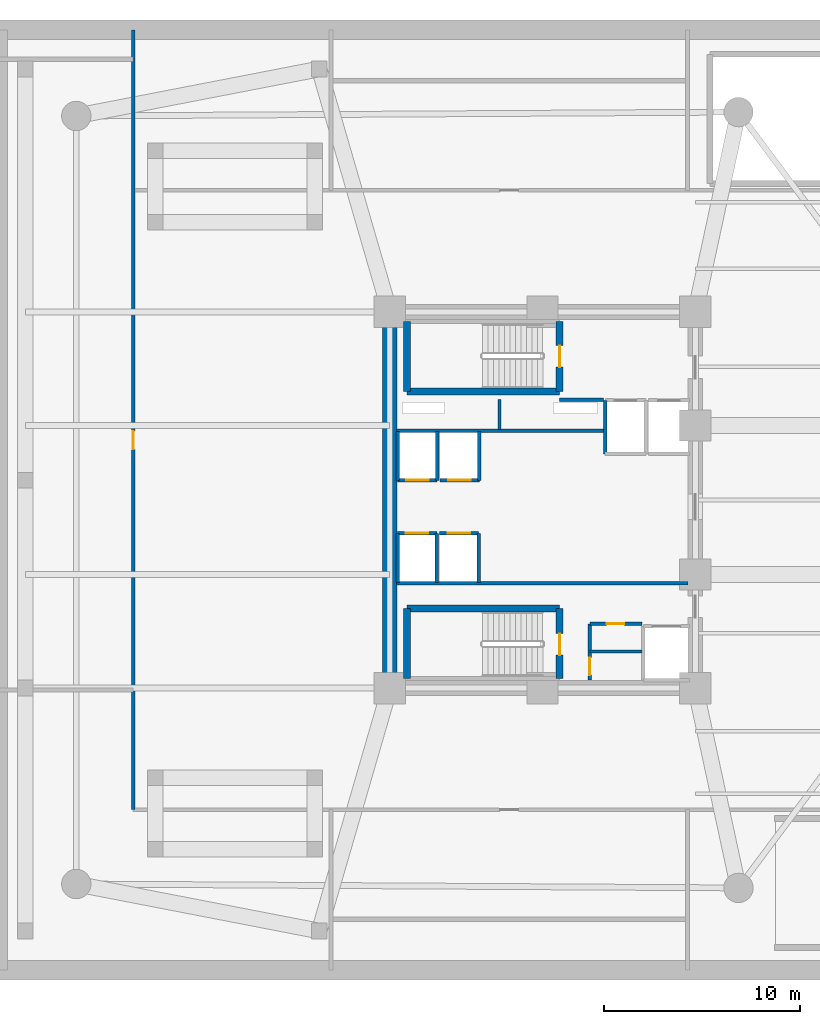
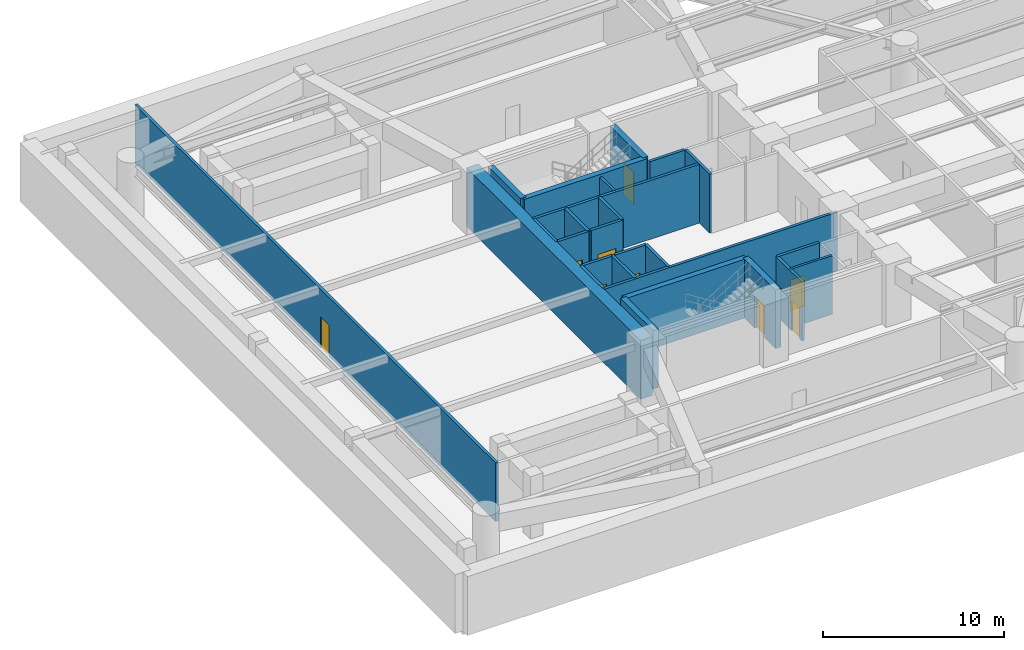
# One storey, part 3 of 7: 26 walls, 9 doors, 9 openings.
"""IFC4 building model written with IfcOpenShell, lengths in metres."""

from ifc_helpers import new_model, si_unit, direction, frame, frame_2d, origin, place, context, subcontext, project, spatial, rectangle, extrude, material, layer, layer_set, type_object, element, fill, save


model = new_model("IFC4")

# Units and contexts
model_context = context("Model", 3, precision=1e-05, world=origin(), true_north=direction((0.0, 1.0)))
body_context = subcontext(model_context, "Body", "Model", "MODEL_VIEW")
ifc_project = project(units=[si_unit("LENGTHUNIT", "METRE"), si_unit("AREAUNIT", "SQUARE_METRE"), si_unit("VOLUMEUNIT", "CUBIC_METRE"), si_unit("PLANEANGLEUNIT", "RADIAN"), si_unit("MASSUNIT", "GRAM", prefix="KILO")], contexts=[model_context])

# Site, building, storey
site_placement = place(None, origin())
site = spatial("IfcSite", under=ifc_project, at=site_placement, CompositionType="ELEMENT")
building_placement = place(site_placement, origin())
building = spatial("IfcBuilding", under=site, at=building_placement, Name="An Khanh Terracotta Commons", CompositionType="ELEMENT")
storey_placement = place(building_placement, frame((0.0, 0.0, -4.199951171875)))
storey = spatial("IfcBuildingStorey", under=building, at=storey_placement, Name="B01", CompositionType="ELEMENT", Elevation=-4.199951171875)

# Walls
ifc_material_1 = material(Name="Concrete C70/85", Category="concrete")
ifc_layer_1 = layer(ifc_material_1, 0.75, Name="Concrete C70/85")
ifc_layer_set_1 = layer_set([ifc_layer_1], Name="Concrete C70/85")
wall_type_1 = type_object("IfcWallType", Name="WALL-CORE-750", PredefinedType="SHEAR", material=ifc_layer_set_1)
wall_1_placement = place(storey_placement, frame((21.60009765625, 14.39990234375, 0.0), z_axis=(0.0, 0.0, 1.0), x_axis=(0.0, 1.0, 0.0)))
element("IfcWall", 1, at=wall_1_placement, inside=storey, type_object=wall_type_1, Name="B01 Core Wall CWALL-B01-W", PredefinedType="SHEAR", context=body_context, shape_type="SweptSolid", body=[
    extrude(rectangle(XDim=19.2001953125, YDim=0.75, at=frame_2d((9.60009765625, 0.0))), origin(), (0.0, 0.0, 1.0), 3.9599609375),
])
ifc_material_2 = material(Name="Fire-Rated Gypsum Board on Steel Stud", Category="steel")
ifc_layer_2 = layer(ifc_material_2, 0.179931640625, Name="Fire-Rated Gypsum Board on Steel Stud")
ifc_layer_set_2 = layer_set([ifc_layer_2], Name="Fire-Rated Gypsum Board on Steel Stud")
wall_type_2 = type_object("IfcWallType", Name="WALL-CORR-180", PredefinedType="PARTITIONING", material=ifc_layer_set_2)
wall_2_placement = place(storey_placement, frame((30.27001953125, 29.1201171875, 0.0), z_axis=(0.0, 0.0, 1.0), x_axis=(1.0, 0.0, 0.0)))
element("IfcWall", 2, at=wall_2_placement, inside=storey, type_object=wall_type_2, Name="B01 Core Wall FFLW-B01-S", PredefinedType="PARTITIONING", context=body_context, shape_type="SweptSolid", body=[
    extrude(rectangle(XDim=2.239990234375, YDim=0.179931640625, at=frame_2d((1.1201171875, 0.0))), origin(), (0.0, 0.0, 1.0), 3.9599609375),
])
wall_3_placement = place(storey_placement, frame((21.949951171875, 27.5400390625, 0.0), z_axis=(0.0, 0.0, 1.0), x_axis=(1.0, 0.0, 0.0)))
element("IfcWall", 3, at=wall_3_placement, inside=storey, type_object=wall_type_2, Name="B01 Core Wall RSRW-B01-S", PredefinedType="PARTITIONING", context=body_context, shape_type="SweptSolid", body=[
    extrude(rectangle(XDim=10.56005859375, YDim=0.179931640625, at=frame_2d((5.280029296875, 0.0))), origin(), (0.0, 0.0, 1.0), 3.9599609375),
])
wall_4_placement = place(storey_placement, frame((21.949951171875, 19.760009765625, 0.0), z_axis=(0.0, 0.0, 1.0), x_axis=(1.0, 0.0, 0.0)))
element("IfcWall", 4, at=wall_4_placement, inside=storey, type_object=wall_type_2, Name="B01 Core Wall SVW-B01-N", PredefinedType="PARTITIONING", context=body_context, shape_type="SweptSolid", body=[
    extrude(rectangle(XDim=14.8701171875, YDim=0.179931640625, at=frame_2d((7.43505859375, 0.0))), origin(), (0.0, 0.0, 1.0), 3.9599609375),
])

# Wall, opening, door
wall_5_placement = place(storey_placement, frame((31.820068359375, 17.679931640625, 0.0), z_axis=(0.0, 0.0, 1.0), x_axis=(1.0, 0.0, 0.0)))
wall_5 = element("IfcWall", 5, at=wall_5_placement, inside=storey, type_object=wall_type_2, Name="B01 Core Wall SSVCW-B01-N", PredefinedType="PARTITIONING", context=body_context, shape_type="SweptSolid", body=[
    extrude(rectangle(XDim=2.659912109375, YDim=0.179931640625, at=frame_2d((1.330078125, 0.0))), origin(), (0.0, 0.0, 1.0), 3.9599609375),
])
opening_1_placement = place(wall_5_placement, frame((0.85009765625, 0.0, 0.0)))
opening_1 = element("IfcOpeningElement", 6, at=opening_1_placement, cuts=wall_5, Name="Opening D-SV", PredefinedType="OPENING", context=body_context, shape_type="SweptSolid", body=[
    extrude(rectangle(XDim=0.89990234375, YDim=2.050048828125, at=frame_2d((0.449951171875, 1.02490234375))), frame((0.0, 0.099853515625, 0.0), z_axis=(0.0, -1.0, 0.0), x_axis=(1.0, 0.0, 0.0)), (0.0, 0.0, 1.0), 0.199951171875),
])
ifc_material_3 = material(Name="Fire-Rated Powder-Coated Steel Door", Category="steel")
door_type_1 = type_object("IfcDoorType", Name="DOOR-SERV-900", OperationType="NOTDEFINED", PredefinedType="DOOR", material=ifc_material_3)
door_1_placement = place(opening_1_placement, origin())
door_1 = element("IfcDoor", 7, at=door_1_placement, inside=storey, type_object=door_type_1, Name="B01 Core Cleaner Store Door", OperationType="SINGLE_SWING_RIGHT", OverallHeight=2.050048828125, OverallWidth=0.89990234375, PredefinedType="DOOR", context=body_context, shape_type="SweptSolid", body=[
    extrude(rectangle(XDim=0.89990234375, YDim=2.050048828125, at=frame_2d((0.449951171875, 1.02490234375))), frame((0.0, 0.02490234375, 0.0), z_axis=(0.0, -1.0, 0.0), x_axis=(1.0, 0.0, 0.0)), (0.0, 0.0, 1.0), 0.050048828125),
])
fill(opening_1, door_1)

wall_6_placement = place(storey_placement, frame((31.820068359375, 14.800048828125, 0.0), z_axis=(0.0, 0.0, 1.0), x_axis=(0.0, 1.0, 0.0)))
wall_6 = element("IfcWall", 8, at=wall_6_placement, inside=storey, type_object=wall_type_2, Name="B01 Core Wall SSVCW-B01-W", PredefinedType="PARTITIONING", context=body_context, shape_type="SweptSolid", body=[
    extrude(rectangle(XDim=2.8798828125, YDim=0.179931640625, at=frame_2d((1.43994140625, 0.0))), origin(), (0.0, 0.0, 1.0), 3.9599609375),
])
opening_2_placement = place(wall_6_placement, frame((0.260009765625, 0.0, 0.0)))
opening_2 = element("IfcOpeningElement", 9, at=opening_2_placement, cuts=wall_6, Name="Opening D-SV", PredefinedType="OPENING", context=body_context, shape_type="SweptSolid", body=[
    extrude(rectangle(XDim=0.89990234375, YDim=2.050048828125, at=frame_2d((0.449951171875, 1.02490234375))), frame((0.0, 0.099853515625, 0.0), z_axis=(0.0, -1.0, 0.0), x_axis=(1.0, 0.0, 0.0)), (0.0, 0.0, 1.0), 0.199951171875),
])
door_2_placement = place(opening_2_placement, origin())
door_2 = element("IfcDoor", 10, at=door_2_placement, inside=storey, type_object=door_type_1, Name="B01 Telecoms BMS Cupboard Door", OperationType="SINGLE_SWING_LEFT", OverallHeight=2.050048828125, OverallWidth=0.89990234375, PredefinedType="DOOR", context=body_context, shape_type="SweptSolid", body=[
    extrude(rectangle(XDim=0.89990234375, YDim=2.050048828125, at=frame_2d((0.449951171875, 1.02490234375))), frame((0.0, 0.02490234375, 0.0), z_axis=(0.0, -1.0, 0.0), x_axis=(1.0, 0.0, 0.0)), (0.0, 0.0, 1.0), 0.050048828125),
])
fill(opening_2, door_2)

# Wall
wall_7_placement = place(storey_placement, frame((32.60009765625, 29.080078125, 0.0), z_axis=(0.0, 0.0, 1.0), x_axis=(0.0, -1.0, 0.0)))
element("IfcWall", 11, at=wall_7_placement, inside=storey, type_object=wall_type_2, Name="B01 Core Wall LSH-B01-FFL-01-W", PredefinedType="PARTITIONING", context=body_context, shape_type="SweptSolid", body=[
    extrude(rectangle(XDim=2.72998046875, YDim=0.179931640625, at=frame_2d((1.364990234375, 0.0))), origin(), (0.0, 0.0, 1.0), 3.9599609375),
])

# Wall, opening, door
wall_8_placement = place(storey_placement, frame((24.02001953125, 25.0, 0.0), z_axis=(0.0, 0.0, 1.0), x_axis=(-1.0, 0.0, 0.0)))
wall_8 = element("IfcWall", 12, at=wall_8_placement, inside=storey, type_object=wall_type_2, Name="B01 Core Wall LSH-B01-PL-L1-S", PredefinedType="PARTITIONING", context=body_context, shape_type="SweptSolid", body=[
    extrude(rectangle(XDim=2.02001953125, YDim=0.179931640625, at=frame_2d((1.010009765625, 0.0))), origin(), (0.0, 0.0, 1.0), 3.9599609375),
])
opening_3_placement = place(wall_8_placement, frame((0.43505859375, 0.0, 0.0)))
opening_3 = element("IfcOpeningElement", 13, at=opening_3_placement, cuts=wall_8, Name="Opening LD-PL-L1-B01", PredefinedType="OPENING", context=body_context, shape_type="SweptSolid", body=[
    extrude(rectangle(XDim=1.14990234375, YDim=2.199951171875, at=frame_2d((0.574951171875, 1.10009765625))), frame((0.0, 0.099853515625, 0.0), z_axis=(0.0, -1.0, 0.0), x_axis=(1.0, 0.0, 0.0)), (0.0, 0.0, 1.0), 0.199951171875),
])
ifc_material_4 = material(Name="Brushed Stainless Steel Passenger Landing Door", Category="steel")
door_type_2 = type_object("IfcDoorType", Name="DOOR-LD-PAX-1150", OperationType="NOTDEFINED", PredefinedType="DOOR", material=ifc_material_4)
door_3_placement = place(opening_3_placement, origin())
door_3 = element("IfcDoor", 14, at=door_3_placement, inside=storey, type_object=door_type_2, Name="B01 Lift PL-L1 Sliding Landing Door", OperationType="DOUBLE_DOOR_SLIDING", OverallHeight=2.199951171875, OverallWidth=1.14990234375, PredefinedType="DOOR", context=body_context, shape_type="SweptSolid", body=[
    extrude(rectangle(XDim=1.14990234375, YDim=2.199951171875, at=frame_2d((0.574951171875, 1.10009765625))), frame((0.0, 0.02490234375, 0.0), z_axis=(0.0, -1.0, 0.0), x_axis=(1.0, 0.0, 0.0)), (0.0, 0.0, 1.0), 0.050048828125),
])
fill(opening_3, door_3)

# Walls
for number, where, z_axis, x_axis, name in (
    (15, (24.02001953125, 25.0, 0.0), (0.0, 0.0, 1.0), (0.0, 1.0, 0.0), "B01 Core Wall LSH-B01-PL-L1-E"),
    (16, (22.0, 27.5, 0.0), (0.0, 0.0, 1.0), (0.0, -1.0, 0.0), "B01 Core Wall LSH-B01-PL-L1-W"),
):
    element("IfcWall", number, at=place(storey_placement, frame(where, z_axis=z_axis, x_axis=x_axis)), inside=storey, type_object=wall_type_2, Name=name, PredefinedType="PARTITIONING", context=body_context, shape_type="SweptSolid", body=[
        extrude(rectangle(XDim=2.5, YDim=0.179931640625, at=frame_2d((1.25, 0.0))), origin(), (0.0, 0.0, 1.0), 3.9599609375),
    ])

# Wall, opening, door
wall_9_placement = place(storey_placement, frame((26.179931640625, 25.0, 0.0), z_axis=(0.0, 0.0, 1.0), x_axis=(-1.0, 0.0, 0.0)))
wall_9 = element("IfcWall", 17, at=wall_9_placement, inside=storey, type_object=wall_type_2, Name="B01 Core Wall LSH-B01-PL-L2-S", PredefinedType="PARTITIONING", context=body_context, shape_type="SweptSolid", body=[
    extrude(rectangle(XDim=2.02001953125, YDim=0.179931640625, at=frame_2d((1.010009765625, 0.0))), origin(), (0.0, 0.0, 1.0), 3.9599609375),
])
opening_4_placement = place(wall_9_placement, frame((0.43505859375, 0.0, 0.0)))
opening_4 = element("IfcOpeningElement", 18, at=opening_4_placement, cuts=wall_9, Name="Opening LD-PL-L2-B01", PredefinedType="OPENING", context=body_context, shape_type="SweptSolid", body=[
    extrude(rectangle(XDim=1.14990234375, YDim=2.199951171875, at=frame_2d((0.574951171875, 1.10009765625))), frame((0.0, 0.099853515625, 0.0), z_axis=(0.0, -1.0, 0.0), x_axis=(1.0, 0.0, 0.0)), (0.0, 0.0, 1.0), 0.199951171875),
])
door_4_placement = place(opening_4_placement, origin())
door_4 = element("IfcDoor", 19, at=door_4_placement, inside=storey, type_object=door_type_2, Name="B01 Lift PL-L2 Sliding Landing Door", OperationType="DOUBLE_DOOR_SLIDING", OverallHeight=2.199951171875, OverallWidth=1.14990234375, PredefinedType="DOOR", context=body_context, shape_type="SweptSolid", body=[
    extrude(rectangle(XDim=1.14990234375, YDim=2.199951171875, at=frame_2d((0.574951171875, 1.10009765625))), frame((0.0, 0.02490234375, 0.0), z_axis=(0.0, -1.0, 0.0), x_axis=(1.0, 0.0, 0.0)), (0.0, 0.0, 1.0), 0.050048828125),
])
fill(opening_4, door_4)

# Wall
wall_10_placement = place(storey_placement, frame((26.179931640625, 25.0, 0.0), z_axis=(0.0, 0.0, 1.0), x_axis=(0.0, 1.0, 0.0)))
element("IfcWall", 20, at=wall_10_placement, inside=storey, type_object=wall_type_2, Name="B01 Core Wall LSH-B01-PL-L2-E", PredefinedType="PARTITIONING", context=body_context, shape_type="SweptSolid", body=[
    extrude(rectangle(XDim=2.5, YDim=0.179931640625, at=frame_2d((1.25, 0.0))), origin(), (0.0, 0.0, 1.0), 3.9599609375),
])

# Wall, opening, door
wall_11_placement = place(storey_placement, frame((22.0, 22.300048828125, 0.0), z_axis=(0.0, 0.0, 1.0), x_axis=(1.0, 0.0, 0.0)))
wall_11 = element("IfcWall", 21, at=wall_11_placement, inside=storey, type_object=wall_type_2, Name="B01 Core Wall LSH-B01-PL-L3-N", PredefinedType="PARTITIONING", context=body_context, shape_type="SweptSolid", body=[
    extrude(rectangle(XDim=2.0, YDim=0.179931640625, at=frame_2d((1.0, 0.0))), origin(), (0.0, 0.0, 1.0), 3.9599609375),
])
opening_5_placement = place(wall_11_placement, frame((0.425048828125, 0.0, 0.0)))
opening_5 = element("IfcOpeningElement", 22, at=opening_5_placement, cuts=wall_11, Name="Opening LD-PL-L3-B01", PredefinedType="OPENING", context=body_context, shape_type="SweptSolid", body=[
    extrude(rectangle(XDim=1.14990234375, YDim=2.199951171875, at=frame_2d((0.574951171875, 1.10009765625))), frame((0.0, 0.099853515625, 0.0), z_axis=(0.0, -1.0, 0.0), x_axis=(1.0, 0.0, 0.0)), (0.0, 0.0, 1.0), 0.199951171875),
])
door_5_placement = place(opening_5_placement, origin())
door_5 = element("IfcDoor", 23, at=door_5_placement, inside=storey, type_object=door_type_2, Name="B01 Lift PL-L3 Sliding Landing Door", OperationType="DOUBLE_DOOR_SLIDING", OverallHeight=2.199951171875, OverallWidth=1.14990234375, PredefinedType="DOOR", context=body_context, shape_type="SweptSolid", body=[
    extrude(rectangle(XDim=1.14990234375, YDim=2.199951171875, at=frame_2d((0.574951171875, 1.10009765625))), frame((0.0, 0.02490234375, 0.0), z_axis=(0.0, -1.0, 0.0), x_axis=(1.0, 0.0, 0.0)), (0.0, 0.0, 1.0), 0.050048828125),
])
fill(opening_5, door_5)

# Walls
for number, where, z_axis, x_axis, name in (
    (24, (24.0, 19.800048828125, 0.0), (0.0, 0.0, 1.0), (0.0, 1.0, 0.0), "B01 Core Wall LSH-B01-PL-L3-E"),
    (25, (22.0, 22.300048828125, 0.0), (0.0, 0.0, 1.0), (0.0, -1.0, 0.0), "B01 Core Wall LSH-B01-PL-L3-W"),
):
    element("IfcWall", number, at=place(storey_placement, frame(where, z_axis=z_axis, x_axis=x_axis)), inside=storey, type_object=wall_type_2, Name=name, PredefinedType="PARTITIONING", context=body_context, shape_type="SweptSolid", body=[
        extrude(rectangle(XDim=2.5, YDim=0.179931640625, at=frame_2d((1.25, 0.0))), origin(), (0.0, 0.0, 1.0), 3.9599609375),
    ])

# Wall, opening, door
wall_12_placement = place(storey_placement, frame((24.139892578125, 22.300048828125, 0.0), z_axis=(0.0, 0.0, 1.0), x_axis=(1.0, 0.0, 0.0)))
wall_12 = element("IfcWall", 26, at=wall_12_placement, inside=storey, type_object=wall_type_2, Name="B01 Core Wall LSH-B01-PL-L4-N", PredefinedType="PARTITIONING", context=body_context, shape_type="SweptSolid", body=[
    extrude(rectangle(XDim=2.0, YDim=0.179931640625, at=frame_2d((1.0, 0.0))), origin(), (0.0, 0.0, 1.0), 3.9599609375),
])
opening_6_placement = place(wall_12_placement, frame((0.425048828125, 0.0, 0.0)))
opening_6 = element("IfcOpeningElement", 27, at=opening_6_placement, cuts=wall_12, Name="Opening LD-PL-L4-B01", PredefinedType="OPENING", context=body_context, shape_type="SweptSolid", body=[
    extrude(rectangle(XDim=1.14990234375, YDim=2.199951171875, at=frame_2d((0.574951171875, 1.10009765625))), frame((0.0, 0.099853515625, 0.0), z_axis=(0.0, -1.0, 0.0), x_axis=(1.0, 0.0, 0.0)), (0.0, 0.0, 1.0), 0.199951171875),
])
door_6_placement = place(opening_6_placement, origin())
door_6 = element("IfcDoor", 28, at=door_6_placement, inside=storey, type_object=door_type_2, Name="B01 Lift PL-L4 Sliding Landing Door", OperationType="DOUBLE_DOOR_SLIDING", OverallHeight=2.199951171875, OverallWidth=1.14990234375, PredefinedType="DOOR", context=body_context, shape_type="SweptSolid", body=[
    extrude(rectangle(XDim=1.14990234375, YDim=2.199951171875, at=frame_2d((0.574951171875, 1.10009765625))), frame((0.0, 0.02490234375, 0.0), z_axis=(0.0, -1.0, 0.0), x_axis=(1.0, 0.0, 0.0)), (0.0, 0.0, 1.0), 0.050048828125),
])
fill(opening_6, door_6)

# Wall
wall_13_placement = place(storey_placement, frame((26.139892578125, 19.800048828125, 0.0), z_axis=(0.0, 0.0, 1.0), x_axis=(0.0, 1.0, 0.0)))
element("IfcWall", 29, at=wall_13_placement, inside=storey, type_object=wall_type_2, Name="B01 Core Wall LSH-B01-PL-L4-E", PredefinedType="PARTITIONING", context=body_context, shape_type="SweptSolid", body=[
    extrude(rectangle(XDim=2.5, YDim=0.179931640625, at=frame_2d((1.25, 0.0))), origin(), (0.0, 0.0, 1.0), 3.9599609375),
])

# Wall, opening, door
wall_14_placement = place(storey_placement, frame((8.5, 8.199951171875, 0.0), z_axis=(0.0, 0.0, 1.0), x_axis=(0.0, 1.0, 0.0)))
wall_14 = element("IfcWall", 30, at=wall_14_placement, inside=storey, type_object=wall_type_2, Name="B01 Interior Partition IW-B01-E014", PredefinedType="PARTITIONING", context=body_context, shape_type="SweptSolid", body=[
    extrude(rectangle(XDim=39.800048828125, YDim=0.179931640625, at=frame_2d((19.89990234375, 0.0))), origin(), (0.0, 0.0, 1.0), 3.9599609375),
])
opening_7_placement = place(wall_14_placement, frame((18.389892578125, 0.0, 0.0)))
opening_7 = element("IfcOpeningElement", 31, at=opening_7_placement, cuts=wall_14, Name="Opening D-RM", PredefinedType="OPENING", context=body_context, shape_type="SweptSolid", body=[
    extrude(rectangle(XDim=0.919921875, YDim=2.10009765625, at=frame_2d((0.4599609375, 1.050048828125))), frame((0.0, 0.099853515625, 0.0), z_axis=(0.0, -1.0, 0.0), x_axis=(1.0, 0.0, 0.0)), (0.0, 0.0, 1.0), 0.199951171875),
])
ifc_material_5 = material(Name="Engineered Hardwood Timber Leaf", Category="wood")
door_type_3 = type_object("IfcDoorType", Name="DOOR-INT-920", OperationType="NOTDEFINED", PredefinedType="DOOR", material=ifc_material_5)
door_7_placement = place(opening_7_placement, origin())
door_7 = element("IfcDoor", 32, at=door_7_placement, inside=storey, type_object=door_type_3, Name="B01 CYC Bicycle and Electric Two-Wheeler Storage Door", OperationType="SINGLE_SWING_RIGHT", OverallHeight=2.10009765625, OverallWidth=0.919921875, PredefinedType="DOOR", context=body_context, shape_type="SweptSolid", body=[
    extrude(rectangle(XDim=0.919921875, YDim=2.10009765625, at=frame_2d((0.4599609375, 1.050048828125))), frame((0.0, 0.02490234375, 0.0), z_axis=(0.0, -1.0, 0.0), x_axis=(1.0, 0.0, 0.0)), (0.0, 0.0, 1.0), 0.050048828125),
])
fill(opening_7, door_7)

# Walls
ifc_material_6 = material(Name="Acoustic Gypsum Board Partition")
ifc_layer_3 = layer(ifc_material_6, 0.14990234375, Name="Acoustic Gypsum Board Partition")
ifc_layer_set_3 = layer_set([ifc_layer_3], Name="Acoustic Gypsum Board Partition")
wall_type_3 = type_object("IfcWallType", Name="WALL-PART-150", PredefinedType="PARTITIONING", material=ifc_layer_set_3)
wall_15_placement = place(storey_placement, frame((27.199951171875, 27.60009765625, 0.0), z_axis=(0.0, 0.0, 1.0), x_axis=(0.0, 1.0, 0.0)))
element("IfcWall", 33, at=wall_15_placement, inside=storey, type_object=wall_type_3, Name="B01 Core Wall RSRW-B01-D1", PredefinedType="PARTITIONING", context=body_context, shape_type="SweptSolid", body=[
    extrude(rectangle(XDim=1.52001953125, YDim=0.14990234375, at=frame_2d((0.760009765625, 0.0))), origin(), (0.0, 0.0, 1.0), 3.9599609375),
])
wall_16_placement = place(storey_placement, frame((31.820068359375, 16.260009765625, 0.0), z_axis=(0.0, 0.0, 1.0), x_axis=(1.0, 0.0, 0.0)))
element("IfcWall", 34, at=wall_16_placement, inside=storey, type_object=wall_type_3, Name="B01 Core Wall SSVCW-B01-M", PredefinedType="PARTITIONING", context=body_context, shape_type="SweptSolid", body=[
    extrude(rectangle(XDim=2.659912109375, YDim=0.14990234375, at=frame_2d((1.330078125, 0.0))), origin(), (0.0, 0.0, 1.0), 3.9599609375),
])
ifc_material_7 = material(Name="Concrete C50/60", Category="concrete")
ifc_layer_4 = layer(ifc_material_7, 0.35009765625, Name="Concrete C50/60")
ifc_layer_set_4 = layer_set([ifc_layer_4], Name="Concrete C50/60")
wall_type_4 = type_object("IfcWallType", Name="WALL-SHAFT-350", PredefinedType="SOLIDWALL", material=ifc_layer_set_4)
wall_17_placement = place(storey_placement, frame((22.47998046875, 29.530029296875, 0.0), z_axis=(0.0, 0.0, 1.0), x_axis=(1.0, 0.0, 0.0)))
element("IfcWall", 35, at=wall_17_placement, inside=storey, type_object=wall_type_4, Name="B01 Core Wall STW-B01-N-S", PredefinedType="SOLIDWALL", context=body_context, shape_type="SweptSolid", body=[
    extrude(rectangle(XDim=7.7900390625, YDim=0.35009765625, at=frame_2d((3.89501953125, 0.0))), origin(), (0.0, 0.0, 1.0), 3.9599609375),
])
wall_18_placement = place(storey_placement, frame((22.47998046875, 29.530029296875, 0.0), z_axis=(0.0, 0.0, 1.0), x_axis=(0.0, 1.0, 0.0)))
element("IfcWall", 36, at=wall_18_placement, inside=storey, type_object=wall_type_4, Name="B01 Core Wall STW-B01-N-W", PredefinedType="SOLIDWALL", context=body_context, shape_type="SweptSolid", body=[
    extrude(rectangle(XDim=3.580078125, YDim=0.35009765625, at=frame_2d((1.7900390625, 0.0))), origin(), (0.0, 0.0, 1.0), 3.9599609375),
])

# Wall, opening, door
wall_19_placement = place(storey_placement, frame((30.27001953125, 29.530029296875, 0.0), z_axis=(0.0, 0.0, 1.0), x_axis=(0.0, 1.0, 0.0)))
wall_19 = element("IfcWall", 37, at=wall_19_placement, inside=storey, type_object=wall_type_4, Name="B01 Core Wall STW-B01-N-E", PredefinedType="SOLIDWALL", context=body_context, shape_type="SweptSolid", body=[
    extrude(rectangle(XDim=3.580078125, YDim=0.35009765625, at=frame_2d((1.7900390625, 0.0))), origin(), (0.0, 0.0, 1.0), 3.9599609375),
])
opening_8_placement = place(wall_19_placement, frame((1.25, 0.0, 0.0)))
opening_8 = element("IfcOpeningElement", 38, at=opening_8_placement, cuts=wall_19, Name="Opening D-ST", PredefinedType="OPENING", context=body_context, shape_type="SweptSolid", body=[
    extrude(rectangle(XDim=1.10009765625, YDim=2.14990234375, at=frame_2d((0.550048828125, 1.074951171875))), frame((0.0, 0.18505859375, 0.0), z_axis=(0.0, -1.0, 0.0), x_axis=(1.0, 0.0, 0.0)), (0.0, 0.0, 1.0), 0.3701171875),
])
ifc_material_8 = material(Name="Fire-Rated Steel Leaf and Frame", Category="steel")
door_type_4 = type_object("IfcDoorType", Name="DOOR-STAIR-1100", OperationType="NOTDEFINED", PredefinedType="DOOR", material=ifc_material_8)
door_8_placement = place(opening_8_placement, origin())
door_8 = element("IfcDoor", 39, at=door_8_placement, inside=storey, type_object=door_type_4, Name="B01 Stair ST-01 Fire Door", OperationType="SINGLE_SWING_RIGHT", OverallHeight=2.14990234375, OverallWidth=1.10009765625, PredefinedType="DOOR", context=body_context, shape_type="SweptSolid", body=[
    extrude(rectangle(XDim=1.10009765625, YDim=2.14990234375, at=frame_2d((0.550048828125, 1.074951171875))), frame((0.0, 0.02490234375, 0.0), z_axis=(0.0, -1.0, 0.0), x_axis=(1.0, 0.0, 0.0)), (0.0, 0.0, 1.0), 0.050048828125),
])
fill(opening_8, door_8)

# Walls
wall_20_placement = place(storey_placement, frame((22.47998046875, 18.469970703125, 0.0), z_axis=(0.0, 0.0, 1.0), x_axis=(1.0, 0.0, 0.0)))
element("IfcWall", 40, at=wall_20_placement, inside=storey, type_object=wall_type_4, Name="B01 Core Wall STW-B01-S-N", PredefinedType="SOLIDWALL", context=body_context, shape_type="SweptSolid", body=[
    extrude(rectangle(XDim=7.7900390625, YDim=0.35009765625, at=frame_2d((3.89501953125, 0.0))), origin(), (0.0, 0.0, 1.0), 3.9599609375),
])
wall_21_placement = place(storey_placement, frame((22.47998046875, 14.889892578125, 0.0), z_axis=(0.0, 0.0, 1.0), x_axis=(0.0, 1.0, 0.0)))
element("IfcWall", 41, at=wall_21_placement, inside=storey, type_object=wall_type_4, Name="B01 Core Wall STW-B01-S-W", PredefinedType="SOLIDWALL", context=body_context, shape_type="SweptSolid", body=[
    extrude(rectangle(XDim=3.580078125, YDim=0.35009765625, at=frame_2d((1.7900390625, 0.0))), origin(), (0.0, 0.0, 1.0), 3.9599609375),
])

# Wall, opening, door
wall_22_placement = place(storey_placement, frame((30.27001953125, 14.889892578125, 0.0), z_axis=(0.0, 0.0, 1.0), x_axis=(0.0, 1.0, 0.0)))
wall_22 = element("IfcWall", 42, at=wall_22_placement, inside=storey, type_object=wall_type_4, Name="B01 Core Wall STW-B01-S-E", PredefinedType="SOLIDWALL", context=body_context, shape_type="SweptSolid", body=[
    extrude(rectangle(XDim=3.580078125, YDim=0.35009765625, at=frame_2d((1.7900390625, 0.0))), origin(), (0.0, 0.0, 1.0), 3.9599609375),
])
opening_9_placement = place(wall_22_placement, frame((1.18994140625, 0.0, 0.0)))
opening_9 = element("IfcOpeningElement", 43, at=opening_9_placement, cuts=wall_22, Name="Opening D-ST", PredefinedType="OPENING", context=body_context, shape_type="SweptSolid", body=[
    extrude(rectangle(XDim=1.10009765625, YDim=2.14990234375, at=frame_2d((0.550048828125, 1.074951171875))), frame((0.0, 0.18505859375, 0.0), z_axis=(0.0, -1.0, 0.0), x_axis=(1.0, 0.0, 0.0)), (0.0, 0.0, 1.0), 0.3701171875),
])
door_9_placement = place(opening_9_placement, origin())
door_9 = element("IfcDoor", 44, at=door_9_placement, inside=storey, type_object=door_type_4, Name="B01 Stair ST-02 Fire Door", OperationType="SINGLE_SWING_LEFT", OverallHeight=2.14990234375, OverallWidth=1.10009765625, PredefinedType="DOOR", context=body_context, shape_type="SweptSolid", body=[
    extrude(rectangle(XDim=1.10009765625, YDim=2.14990234375, at=frame_2d((0.550048828125, 1.074951171875))), frame((0.0, 0.02490234375, 0.0), z_axis=(0.0, -1.0, 0.0), x_axis=(1.0, 0.0, 0.0)), (0.0, 0.0, 1.0), 0.050048828125),
])
fill(opening_9, door_9)

save(model, "model.ifc")
